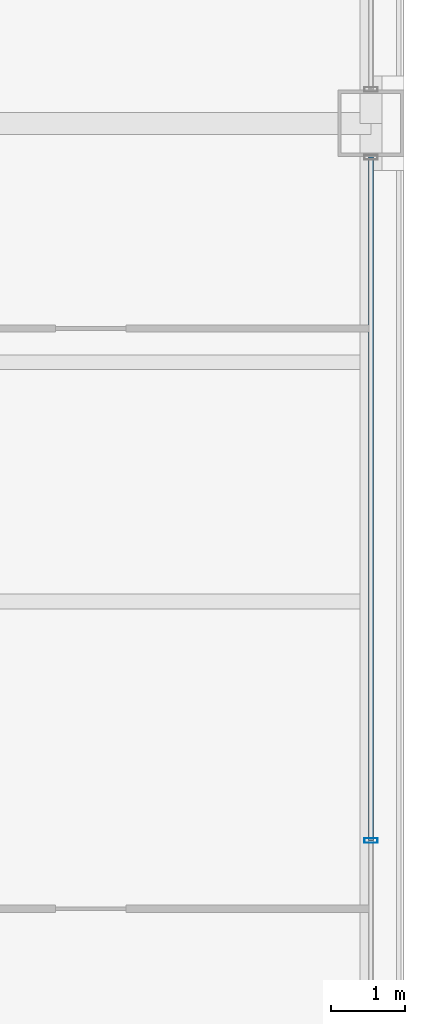
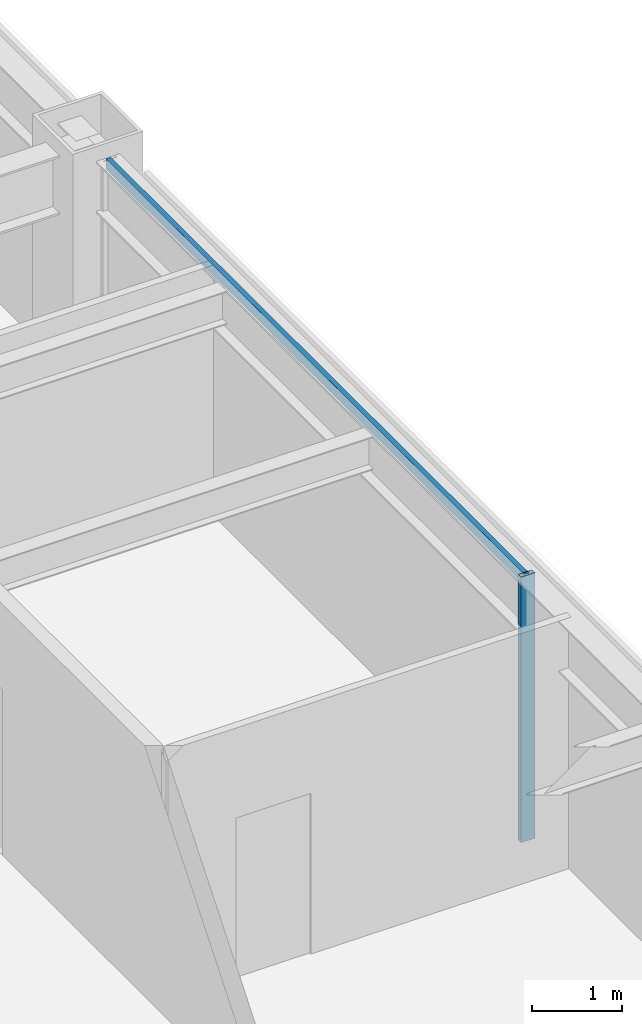
# One storey, part 12 of 28: 2 members, 1 element without a shape of its own.
"""IFC4 building model written with IfcOpenShell, lengths in metres."""

from ifc_helpers import new_model, si_unit, direction, frame, origin, origin_2d, place, context, subcontext, project, spatial, hollow_rectangle, extrude, material, layer, layer_set, material_profile, profile_set, type_object, element, aggregate, save


model = new_model("IFC4")

# Units and contexts
model_context = context("Model", 3, precision=1e-05, world=origin(), true_north=direction((0.0, 1.0)))
body_context = subcontext(model_context, "Body", "Model", "MODEL_VIEW")
ifc_project = project(units=[si_unit("LENGTHUNIT", "METRE"), si_unit("AREAUNIT", "SQUARE_METRE"), si_unit("VOLUMEUNIT", "CUBIC_METRE"), si_unit("PLANEANGLEUNIT", "RADIAN"), si_unit("MASSUNIT", "GRAM", prefix="KILO")], contexts=[model_context])

# Site, building, storey
site_placement = place(None, origin())
site = spatial("IfcSite", under=ifc_project, at=site_placement, CompositionType="ELEMENT")
building_placement = place(site_placement, origin())
building = spatial("IfcBuilding", under=site, at=building_placement, Name="Brelmoor Portico Tower", CompositionType="ELEMENT")
storey_placement = place(building_placement, frame((0.0, 0.0, 70.800048828125)))
storey = spatial("IfcBuildingStorey", under=building, at=storey_placement, Name="L18", CompositionType="ELEMENT", Elevation=70.800048828125)

# Curtain wall, members
ifc_material = material(Name="Anodised Aluminium Alloy 6063-T6", Category="aluminium")
ifc_layer = layer(ifc_material, 0.179931640625)
ifc_layer_set = layer_set([ifc_layer], Name="Anodised Aluminium Alloy 6063-T6")
curtain_wall_type = type_object("IfcCurtainWallType", Name="CW-TOWER-Z1-XB", PredefinedType="NOTDEFINED", material=ifc_layer_set)
curtain_wall_placement = place(storey_placement, origin())
curtain_wall = element("IfcCurtainWall", 1, at=curtain_wall_placement, inside=storey, type_object=curtain_wall_type, Name="L18 Curtain Wall CW-L18-04-2", PredefinedType="NOTDEFINED")
ifc_material_profile_1 = material_profile(ifc_material, hollow_rectangle(XDim=0.06494140625, YDim=0.179931640625, WallThickness=0.00390625, at=origin_2d()), Name="ALU MULLION 65x180")
ifc_profile_set_1 = profile_set([ifc_material_profile_1], Name="Anodised Aluminium Alloy 6063-T6")
member_type_1 = type_object("IfcMemberType", Name="MB-CW-MULL-180", PredefinedType="MULLION", material=ifc_profile_set_1)
member_1_placement = place(storey_placement, frame((24.550048828125, 0.0, -0.199951171875), z_axis=(0.0, 0.0, 1.0), x_axis=(0.0, 1.0, 0.0)))
member_1 = element("IfcMember", 2, at=member_1_placement, type_object=member_type_1, Name="CW-L18-04-2 Mullion 01", PredefinedType="MULLION", context=body_context, shape_type="SweptSolid", body=[
    extrude(hollow_rectangle(XDim=0.06494140625, YDim=0.179931640625, WallThickness=0.00390625, at=origin_2d()), origin(), (0.0, 0.0, 1.0), 3.599853515625),
])
ifc_material_profile_2 = material_profile(ifc_material, hollow_rectangle(XDim=0.06494140625, YDim=0.139892578125, WallThickness=0.00390625, at=origin_2d()), Name="ALU TRANSOM 65x140")
ifc_profile_set_2 = profile_set([ifc_material_profile_2], Name="Anodised Aluminium Alloy 6063-T6")
member_type_2 = type_object("IfcMemberType", Name="MB-CW-TRAN-140", PredefinedType="USERDEFINED", material=ifc_profile_set_2)
member_2_placement = place(storey_placement, frame((24.550048828125, 0.0, 3.329833984375), z_axis=(0.0, 1.0, 0.0), x_axis=(-1.0, 0.0, 0.0)))
member_2 = element("IfcMember", 3, at=member_2_placement, type_object=member_type_2, Name="CW-L18-04-2 Transom 1-01", ObjectType="TRANSOM", PredefinedType="USERDEFINED", context=body_context, shape_type="SweptSolid", body=[
    extrude(hollow_rectangle(XDim=0.06494140625, YDim=0.139892578125, WallThickness=0.00390625, at=origin_2d()), origin(), (0.0, 0.0, 1.0), 9.2900390625),
])
aggregate(curtain_wall, [member_1, member_2])

save(model, "model.ifc")
